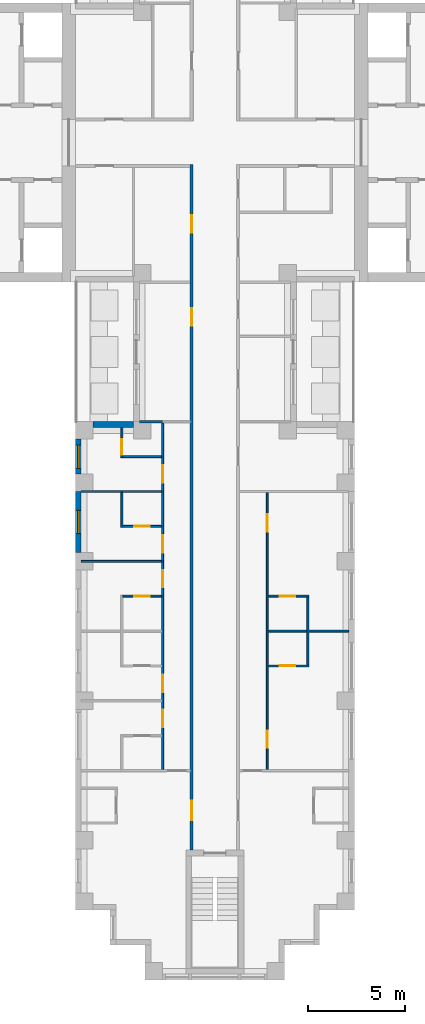
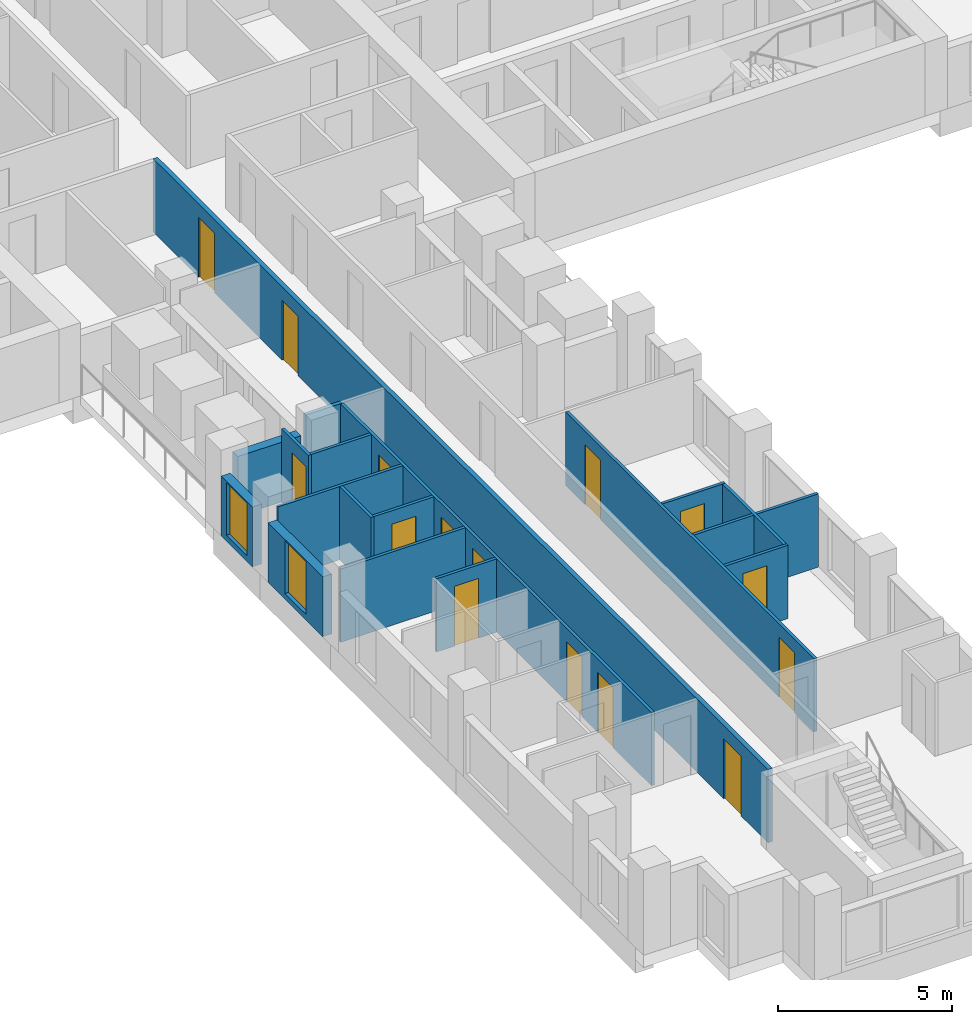
# One storey, part 4 of 15: 18 walls, 15 doors, 2 windows, 17 openings.
"""IFC4 building model written with IfcOpenShell, lengths in metres."""

from ifc_helpers import new_model, si_unit, direction, frame, frame_2d, origin, place, context, subcontext, project, spatial, rectangle, extrude, material, layer, layer_set, type_object, element, fill, save


model = new_model("IFC4")

# Units and contexts
model_context = context("Model", 3, precision=1e-05, world=origin(), true_north=direction((0.0, 1.0)))
body_context = subcontext(model_context, "Body", "Model", "MODEL_VIEW")
ifc_project = project(units=[si_unit("LENGTHUNIT", "METRE"), si_unit("AREAUNIT", "SQUARE_METRE"), si_unit("VOLUMEUNIT", "CUBIC_METRE"), si_unit("PLANEANGLEUNIT", "RADIAN"), si_unit("MASSUNIT", "GRAM", prefix="KILO")], contexts=[model_context])

# Site, building, storey
site_placement = place(None, origin())
site = spatial("IfcSite", under=ifc_project, at=site_placement, CompositionType="ELEMENT")
building_placement = place(site_placement, origin())
building = spatial("IfcBuilding", under=site, at=building_placement, Name="Fustian Cross Tower", CompositionType="ELEMENT")
storey_placement = place(building_placement, frame((0.0, 0.0, 14.699951171875)))
storey = spatial("IfcBuildingStorey", under=building, at=storey_placement, Name="L03", CompositionType="ELEMENT", Elevation=14.699951171875)

# Wall, openings, doors
ifc_material_1 = material(Name="Plasterboard on steel stud", Category="steel")
ifc_layer_1 = layer(ifc_material_1, 0.14990234375)
ifc_layer_set_1 = layer_set([ifc_layer_1], Name="Plasterboard on steel stud")
wall_type_1 = type_object("IfcWallType", Name="COMPARTMENT WALL 150 EI 60", PredefinedType="PARTITIONING", material=ifc_layer_set_1)
wall_1_placement = place(storey_placement, frame((-1.199951171875, -36.5, 0.0), z_axis=(0.0, 0.0, 1.0), x_axis=(0.0, 1.0, 0.0)))
wall_1 = element("IfcWall", 1, at=wall_1_placement, inside=storey, type_object=wall_type_1, Name="Partition 54", PredefinedType="PARTITIONING", context=body_context, shape_type="SweptSolid", body=[
    extrude(rectangle(XDim=35.375, YDim=0.14990234375, at=frame_2d((17.6875, 0.0))), origin(), (0.0, 0.0, 1.0), 2.574951171875),
])
opening_1_placement = place(wall_1_placement, frame((31.85009765625, 0.0, 0.0)))
opening_1 = element("IfcOpeningElement", 2, at=opening_1_placement, cuts=wall_1, Name="Opening D04008", PredefinedType="OPENING", context=body_context, shape_type="SweptSolid", body=[
    extrude(rectangle(XDim=0.89990234375, YDim=2.10009765625, at=frame_2d((0.449951171875, 1.050048828125))), frame((0.0, 0.0849609375, 0.0), z_axis=(0.0, -1.0, 0.0), x_axis=(1.0, 0.0, 0.0)), (0.0, 0.0, 1.0), 0.169921875),
])
opening_2_placement = place(wall_1_placement, frame((27.050048828125, 0.0, 0.0)))
opening_2 = element("IfcOpeningElement", 3, at=opening_2_placement, cuts=wall_1, Name="Opening D04065", PredefinedType="OPENING", context=body_context, shape_type="SweptSolid", body=[
    extrude(rectangle(XDim=0.89990234375, YDim=2.10009765625, at=frame_2d((0.449951171875, 1.050048828125))), frame((0.0, 0.0849609375, 0.0), z_axis=(0.0, -1.0, 0.0), x_axis=(1.0, 0.0, 0.0)), (0.0, 0.0, 1.0), 0.169921875),
])
opening_3_placement = place(wall_1_placement, frame((1.550048828125, 0.0, 0.0)))
opening_3 = element("IfcOpeningElement", 4, at=opening_3_placement, cuts=wall_1, Name="Opening D04067", PredefinedType="OPENING", context=body_context, shape_type="SweptSolid", body=[
    extrude(rectangle(XDim=1.0, YDim=2.10009765625, at=frame_2d((0.5, 1.050048828125))), frame((0.0, 0.0849609375, 0.0), z_axis=(0.0, -1.0, 0.0), x_axis=(1.0, 0.0, 0.0)), (0.0, 0.0, 1.0), 0.169921875),
])
ifc_material_2 = material(Name="Timber fire door set", Category="wood")
door_type_1 = type_object("IfcDoorType", Name="FIRE SWING DOOR 1000 FD30S", OperationType="SINGLE_SWING_LEFT", PredefinedType="DOOR", material=ifc_material_2)
door_1_placement = place(opening_3_placement, origin())
door_1 = element("IfcDoor", 5, at=door_1_placement, inside=storey, type_object=door_type_1, Name="Door D04067", OperationType="SINGLE_SWING_RIGHT", OverallHeight=2.10009765625, OverallWidth=1.0, PredefinedType="DOOR", context=body_context, shape_type="SweptSolid", body=[
    extrude(rectangle(XDim=1.0, YDim=2.10009765625, at=frame_2d((0.5, 1.050048828125))), frame((0.0, 0.02490234375, 0.0), z_axis=(0.0, -1.0, 0.0), x_axis=(1.0, 0.0, 0.0)), (0.0, 0.0, 1.0), 0.050048828125),
])
fill(opening_3, door_1)
ifc_material_3 = material(Name="Timber fire door set", Category="wood")
door_type_2 = type_object("IfcDoorType", Name="FIRE SWING DOOR 900 FD30S", OperationType="SINGLE_SWING_LEFT", PredefinedType="DOOR", material=ifc_material_3)
door_2_placement = place(opening_1_placement, origin())
door_2 = element("IfcDoor", 6, at=door_2_placement, inside=storey, type_object=door_type_2, Name="Door D04008", OperationType="SINGLE_SWING_LEFT", OverallHeight=2.10009765625, OverallWidth=0.89990234375, PredefinedType="DOOR", context=body_context, shape_type="SweptSolid", body=[
    extrude(rectangle(XDim=0.89990234375, YDim=2.10009765625, at=frame_2d((0.449951171875, 1.050048828125))), frame((0.0, 0.02490234375, 0.0), z_axis=(0.0, -1.0, 0.0), x_axis=(1.0, 0.0, 0.0)), (0.0, 0.0, 1.0), 0.050048828125),
])
fill(opening_1, door_2)
door_3_placement = place(opening_2_placement, origin())
door_3 = element("IfcDoor", 7, at=door_3_placement, inside=storey, type_object=door_type_2, Name="Door D04065", OperationType="SINGLE_SWING_RIGHT", OverallHeight=2.10009765625, OverallWidth=0.89990234375, PredefinedType="DOOR", context=body_context, shape_type="SweptSolid", body=[
    extrude(rectangle(XDim=0.89990234375, YDim=2.10009765625, at=frame_2d((0.449951171875, 1.050048828125))), frame((0.0, 0.02490234375, 0.0), z_axis=(0.0, -1.0, 0.0), x_axis=(1.0, 0.0, 0.0)), (0.0, 0.0, 1.0), 0.050048828125),
])
fill(opening_2, door_3)

# Walls
ifc_material_4 = material(Name="Plasterboard on steel stud", Category="steel")
ifc_layer_2 = layer(ifc_material_4, 0.10009765625)
ifc_layer_set_2 = layer_set([ifc_layer_2], Name="Plasterboard on steel stud")
wall_type_2 = type_object("IfcWallType", Name="PARTITION 100 STUD", PredefinedType="PARTITIONING", material=ifc_layer_set_2)
for number, where, z_axis, x_axis, name in (
    (8, (-6.89990234375, -21.60009765625, 0.0), (0.0, 0.0, 1.0), (1.0, 0.0, 0.0), "Partition 15"),
    (9, (-6.89990234375, -18.0, 0.0), (0.0, 0.0, 1.0), (1.0, 0.0, 0.0), "Partition 16"),
):
    element("IfcWall", number, at=place(storey_placement, frame(where, z_axis=z_axis, x_axis=x_axis)), inside=storey, type_object=wall_type_2, Name=name, PredefinedType="PARTITIONING", context=body_context, shape_type="SweptSolid", body=[
        extrude(rectangle(XDim=4.14990234375, YDim=0.10009765625, at=frame_2d((2.074951171875, 0.0))), origin(), (0.0, 0.0, 1.0), 2.574951171875),
    ])

# Wall, opening, door
wall_2_placement = place(storey_placement, frame((-4.75, -23.39990234375, 0.0), z_axis=(0.0, 0.0, 1.0), x_axis=(1.0, 0.0, 0.0)))
wall_2 = element("IfcWall", 10, at=wall_2_placement, inside=storey, type_object=wall_type_2, Name="Partition 30", PredefinedType="PARTITIONING", context=body_context, shape_type="SweptSolid", body=[
    extrude(rectangle(XDim=2.0, YDim=0.10009765625, at=frame_2d((1.0, 0.0))), origin(), (0.0, 0.0, 1.0), 2.574951171875),
])
opening_4_placement = place(wall_2_placement, frame((0.60009765625, 0.0, 0.0)))
opening_4 = element("IfcOpeningElement", 11, at=opening_4_placement, cuts=wall_2, Name="Opening D04076", PredefinedType="OPENING", context=body_context, shape_type="SweptSolid", body=[
    extrude(rectangle(XDim=0.800048828125, YDim=2.10009765625, at=frame_2d((0.39990234375, 1.050048828125))), frame((0.0, 0.06005859375, 0.0), z_axis=(0.0, -1.0, 0.0), x_axis=(1.0, 0.0, 0.0)), (0.0, 0.0, 1.0), 0.1201171875),
])
ifc_material_5 = material(Name="Painted timber", Category="wood")
door_type_3 = type_object("IfcDoorType", Name="SWING DOOR 800", OperationType="SINGLE_SWING_LEFT", PredefinedType="DOOR", material=ifc_material_5)
door_4_placement = place(opening_4_placement, frame((0.800048828125, 0.0, 0.0), z_axis=(0.0, 0.0, 1.0), x_axis=(-1.0, 0.0, 0.0)))
door_4 = element("IfcDoor", 12, at=door_4_placement, inside=storey, type_object=door_type_3, Name="Door D04076", OperationType="SINGLE_SWING_RIGHT", OverallHeight=2.10009765625, OverallWidth=0.800048828125, PredefinedType="DOOR", context=body_context, shape_type="SweptSolid", body=[
    extrude(rectangle(XDim=0.800048828125, YDim=2.10009765625, at=frame_2d((0.39990234375, 1.050048828125))), frame((0.0, 0.02490234375, 0.0), z_axis=(0.0, -1.0, 0.0), x_axis=(1.0, 0.0, 0.0)), (0.0, 0.0, 1.0), 0.050048828125),
])
fill(opening_4, door_4)

# Wall
wall_3_placement = place(storey_placement, frame((-4.800048828125, -19.85009765625, 0.0), z_axis=(0.0, 0.0, 1.0), x_axis=(0.0, 1.0, 0.0)))
element("IfcWall", 13, at=wall_3_placement, inside=storey, type_object=wall_type_2, Name="Partition 31", PredefinedType="PARTITIONING", context=body_context, shape_type="SweptSolid", body=[
    extrude(rectangle(XDim=1.800048828125, YDim=0.10009765625, at=frame_2d((0.89990234375, 0.0))), origin(), (0.0, 0.0, 1.0), 2.574951171875),
])

# Wall, opening, door
wall_4_placement = place(storey_placement, frame((-4.75, -19.800048828125, 0.0), z_axis=(0.0, 0.0, 1.0), x_axis=(1.0, 0.0, 0.0)))
wall_4 = element("IfcWall", 14, at=wall_4_placement, inside=storey, type_object=wall_type_2, Name="Partition 32", PredefinedType="PARTITIONING", context=body_context, shape_type="SweptSolid", body=[
    extrude(rectangle(XDim=2.0, YDim=0.10009765625, at=frame_2d((1.0, 0.0))), origin(), (0.0, 0.0, 1.0), 2.574951171875),
])
opening_5_placement = place(wall_4_placement, frame((0.60009765625, 0.0, 0.0)))
opening_5 = element("IfcOpeningElement", 15, at=opening_5_placement, cuts=wall_4, Name="Opening D04075", PredefinedType="OPENING", context=body_context, shape_type="SweptSolid", body=[
    extrude(rectangle(XDim=0.800048828125, YDim=2.10009765625, at=frame_2d((0.39990234375, 1.050048828125))), frame((0.0, 0.06005859375, 0.0), z_axis=(0.0, -1.0, 0.0), x_axis=(1.0, 0.0, 0.0)), (0.0, 0.0, 1.0), 0.1201171875),
])
door_5_placement = place(opening_5_placement, origin())
door_5 = element("IfcDoor", 16, at=door_5_placement, inside=storey, type_object=door_type_3, Name="Door D04075", OperationType="SINGLE_SWING_LEFT", OverallHeight=2.10009765625, OverallWidth=0.800048828125, PredefinedType="DOOR", context=body_context, shape_type="SweptSolid", body=[
    extrude(rectangle(XDim=0.800048828125, YDim=2.10009765625, at=frame_2d((0.39990234375, 1.050048828125))), frame((0.0, 0.02490234375, 0.0), z_axis=(0.0, -1.0, 0.0), x_axis=(1.0, 0.0, 0.0)), (0.0, 0.0, 1.0), 0.050048828125),
])
fill(opening_5, door_5)

wall_5_placement = place(storey_placement, frame((-4.800048828125, -16.25, 0.0), z_axis=(0.0, 0.0, 1.0), x_axis=(0.0, 1.0, 0.0)))
wall_5 = element("IfcWall", 17, at=wall_5_placement, inside=storey, type_object=wall_type_2, Name="Partition 33", PredefinedType="PARTITIONING", context=body_context, shape_type="SweptSolid", body=[
    extrude(rectangle(XDim=1.550048828125, YDim=0.10009765625, at=frame_2d((0.77490234375, 0.0))), origin(), (0.0, 0.0, 1.0), 2.574951171875),
])
opening_6_placement = place(wall_5_placement, frame((0.14990234375, 0.0, 0.0)))
opening_6 = element("IfcOpeningElement", 18, at=opening_6_placement, cuts=wall_5, Name="Opening D04074", PredefinedType="OPENING", context=body_context, shape_type="SweptSolid", body=[
    extrude(rectangle(XDim=0.800048828125, YDim=2.10009765625, at=frame_2d((0.39990234375, 1.050048828125))), frame((0.0, 0.06005859375, 0.0), z_axis=(0.0, -1.0, 0.0), x_axis=(1.0, 0.0, 0.0)), (0.0, 0.0, 1.0), 0.1201171875),
])
door_6_placement = place(opening_6_placement, frame((0.800048828125, 0.0, 0.0), z_axis=(0.0, 0.0, 1.0), x_axis=(-1.0, 0.0, 0.0)))
door_6 = element("IfcDoor", 19, at=door_6_placement, inside=storey, type_object=door_type_3, Name="Door D04074", OperationType="SINGLE_SWING_RIGHT", OverallHeight=2.10009765625, OverallWidth=0.800048828125, PredefinedType="DOOR", context=body_context, shape_type="SweptSolid", body=[
    extrude(rectangle(XDim=0.800048828125, YDim=2.10009765625, at=frame_2d((0.39990234375, 1.050048828125))), frame((0.0, 0.02490234375, 0.0), z_axis=(0.0, -1.0, 0.0), x_axis=(1.0, 0.0, 0.0)), (0.0, 0.0, 1.0), 0.050048828125),
])
fill(opening_6, door_6)

# Wall
wall_6_placement = place(storey_placement, frame((-4.75, -16.199951171875, 0.0), z_axis=(0.0, 0.0, 1.0), x_axis=(1.0, 0.0, 0.0)))
element("IfcWall", 20, at=wall_6_placement, inside=storey, type_object=wall_type_2, Name="Partition 34", PredefinedType="PARTITIONING", context=body_context, shape_type="SweptSolid", body=[
    extrude(rectangle(XDim=2.0, YDim=0.10009765625, at=frame_2d((1.0, 0.0))), origin(), (0.0, 0.0, 1.0), 2.574951171875),
])

# Wall, openings, doors
wall_7_placement = place(storey_placement, frame((-2.699951171875, -32.35009765625, 0.0), z_axis=(0.0, 0.0, 1.0), x_axis=(0.0, 1.0, 0.0)))
wall_7 = element("IfcWall", 21, at=wall_7_placement, inside=storey, type_object=wall_type_2, Name="Partition 50", PredefinedType="PARTITIONING", context=body_context, shape_type="SweptSolid", body=[
    extrude(rectangle(XDim=17.8876953125, YDim=0.10009765625, at=frame_2d((8.94384765625, 0.0))), origin(), (0.0, 0.0, 1.0), 2.574951171875),
])
opening_7_placement = place(wall_7_placement, frame((2.199951171875, 0.0, 0.0)))
opening_7 = element("IfcOpeningElement", 22, at=opening_7_placement, cuts=wall_7, Name="Opening D04068", PredefinedType="OPENING", context=body_context, shape_type="SweptSolid", body=[
    extrude(rectangle(XDim=0.89990234375, YDim=2.10009765625, at=frame_2d((0.449951171875, 1.050048828125))), frame((0.0, 0.06005859375, 0.0), z_axis=(0.0, -1.0, 0.0), x_axis=(1.0, 0.0, 0.0)), (0.0, 0.0, 1.0), 0.1201171875),
])
opening_8_placement = place(wall_7_placement, frame((4.0, 0.0, 0.0)))
opening_8 = element("IfcOpeningElement", 23, at=opening_8_placement, cuts=wall_7, Name="Opening D04069", PredefinedType="OPENING", context=body_context, shape_type="SweptSolid", body=[
    extrude(rectangle(XDim=0.89990234375, YDim=2.10009765625, at=frame_2d((0.449951171875, 1.050048828125))), frame((0.0, 0.06005859375, 0.0), z_axis=(0.0, -1.0, 0.0), x_axis=(1.0, 0.0, 0.0)), (0.0, 0.0, 1.0), 0.1201171875),
])
opening_9_placement = place(wall_7_placement, frame((9.39990234375, 0.0, 0.0)))
opening_9 = element("IfcOpeningElement", 24, at=opening_9_placement, cuts=wall_7, Name="Opening D04070", PredefinedType="OPENING", context=body_context, shape_type="SweptSolid", body=[
    extrude(rectangle(XDim=0.89990234375, YDim=2.10009765625, at=frame_2d((0.449951171875, 1.050048828125))), frame((0.0, 0.06005859375, 0.0), z_axis=(0.0, -1.0, 0.0), x_axis=(1.0, 0.0, 0.0)), (0.0, 0.0, 1.0), 0.1201171875),
])
opening_10_placement = place(wall_7_placement, frame((11.199951171875, 0.0, 0.0)))
opening_10 = element("IfcOpeningElement", 25, at=opening_10_placement, cuts=wall_7, Name="Opening D04071", PredefinedType="OPENING", context=body_context, shape_type="SweptSolid", body=[
    extrude(rectangle(XDim=0.89990234375, YDim=2.10009765625, at=frame_2d((0.449951171875, 1.050048828125))), frame((0.0, 0.06005859375, 0.0), z_axis=(0.0, -1.0, 0.0), x_axis=(1.0, 0.0, 0.0)), (0.0, 0.0, 1.0), 0.1201171875),
])
opening_11_placement = place(wall_7_placement, frame((14.800048828125, 0.0, 0.0)))
opening_11 = element("IfcOpeningElement", 26, at=opening_11_placement, cuts=wall_7, Name="Opening D04072", PredefinedType="OPENING", context=body_context, shape_type="SweptSolid", body=[
    extrude(rectangle(XDim=0.89990234375, YDim=2.10009765625, at=frame_2d((0.449951171875, 1.050048828125))), frame((0.0, 0.06005859375, 0.0), z_axis=(0.0, -1.0, 0.0), x_axis=(1.0, 0.0, 0.0)), (0.0, 0.0, 1.0), 0.1201171875),
])
ifc_material_6 = material(Name="Painted timber", Category="wood")
door_type_4 = type_object("IfcDoorType", Name="SWING DOOR 900", OperationType="SINGLE_SWING_LEFT", PredefinedType="DOOR", material=ifc_material_6)
door_7_placement = place(opening_7_placement, origin())
door_7 = element("IfcDoor", 27, at=door_7_placement, inside=storey, type_object=door_type_4, Name="Door D04068", OperationType="SINGLE_SWING_LEFT", OverallHeight=2.10009765625, OverallWidth=0.89990234375, PredefinedType="DOOR", context=body_context, shape_type="SweptSolid", body=[
    extrude(rectangle(XDim=0.89990234375, YDim=2.10009765625, at=frame_2d((0.449951171875, 1.050048828125))), frame((0.0, 0.02490234375, 0.0), z_axis=(0.0, -1.0, 0.0), x_axis=(1.0, 0.0, 0.0)), (0.0, 0.0, 1.0), 0.050048828125),
])
fill(opening_7, door_7)
door_8_placement = place(opening_8_placement, origin())
door_8 = element("IfcDoor", 28, at=door_8_placement, inside=storey, type_object=door_type_4, Name="Door D04069", OperationType="SINGLE_SWING_LEFT", OverallHeight=2.10009765625, OverallWidth=0.89990234375, PredefinedType="DOOR", context=body_context, shape_type="SweptSolid", body=[
    extrude(rectangle(XDim=0.89990234375, YDim=2.10009765625, at=frame_2d((0.449951171875, 1.050048828125))), frame((0.0, 0.02490234375, 0.0), z_axis=(0.0, -1.0, 0.0), x_axis=(1.0, 0.0, 0.0)), (0.0, 0.0, 1.0), 0.050048828125),
])
fill(opening_8, door_8)
door_9_placement = place(opening_9_placement, origin())
door_9 = element("IfcDoor", 29, at=door_9_placement, inside=storey, type_object=door_type_4, Name="Door D04070", OperationType="SINGLE_SWING_LEFT", OverallHeight=2.10009765625, OverallWidth=0.89990234375, PredefinedType="DOOR", context=body_context, shape_type="SweptSolid", body=[
    extrude(rectangle(XDim=0.89990234375, YDim=2.10009765625, at=frame_2d((0.449951171875, 1.050048828125))), frame((0.0, 0.02490234375, 0.0), z_axis=(0.0, -1.0, 0.0), x_axis=(1.0, 0.0, 0.0)), (0.0, 0.0, 1.0), 0.050048828125),
])
fill(opening_9, door_9)
door_10_placement = place(opening_10_placement, origin())
door_10 = element("IfcDoor", 30, at=door_10_placement, inside=storey, type_object=door_type_4, Name="Door D04071", OperationType="SINGLE_SWING_LEFT", OverallHeight=2.10009765625, OverallWidth=0.89990234375, PredefinedType="DOOR", context=body_context, shape_type="SweptSolid", body=[
    extrude(rectangle(XDim=0.89990234375, YDim=2.10009765625, at=frame_2d((0.449951171875, 1.050048828125))), frame((0.0, 0.02490234375, 0.0), z_axis=(0.0, -1.0, 0.0), x_axis=(1.0, 0.0, 0.0)), (0.0, 0.0, 1.0), 0.050048828125),
])
fill(opening_10, door_10)
door_11_placement = place(opening_11_placement, origin())
door_11 = element("IfcDoor", 31, at=door_11_placement, inside=storey, type_object=door_type_4, Name="Door D04072", OperationType="SINGLE_SWING_LEFT", OverallHeight=2.10009765625, OverallWidth=0.89990234375, PredefinedType="DOOR", context=body_context, shape_type="SweptSolid", body=[
    extrude(rectangle(XDim=0.89990234375, YDim=2.10009765625, at=frame_2d((0.449951171875, 1.050048828125))), frame((0.0, 0.02490234375, 0.0), z_axis=(0.0, -1.0, 0.0), x_axis=(1.0, 0.0, 0.0)), (0.0, 0.0, 1.0), 0.050048828125),
])
fill(opening_11, door_11)

wall_8_placement = place(storey_placement, frame((2.699951171875, -32.35009765625, 0.0), z_axis=(0.0, 0.0, 1.0), x_axis=(0.0, 1.0, 0.0)))
wall_8 = element("IfcWall", 32, at=wall_8_placement, inside=storey, type_object=wall_type_2, Name="Partition 70", PredefinedType="PARTITIONING", context=body_context, shape_type="SweptSolid", body=[
    extrude(rectangle(XDim=14.300048828125, YDim=0.10009765625, at=frame_2d((7.14990234375, 0.0))), origin(), (0.0, 0.0, 1.0), 2.574951171875),
])
opening_12_placement = place(wall_8_placement, frame((1.1201171875, 0.0, 0.0)))
opening_12 = element("IfcOpeningElement", 33, at=opening_12_placement, cuts=wall_8, Name="Opening D04061", PredefinedType="OPENING", context=body_context, shape_type="SweptSolid", body=[
    extrude(rectangle(XDim=0.89990234375, YDim=2.10009765625, at=frame_2d((0.449951171875, 1.050048828125))), frame((0.0, 0.06005859375, 0.0), z_axis=(0.0, -1.0, 0.0), x_axis=(1.0, 0.0, 0.0)), (0.0, 0.0, 1.0), 0.1201171875),
])
opening_13_placement = place(wall_8_placement, frame((12.280029296875, 0.0, 0.0)))
opening_13 = element("IfcOpeningElement", 34, at=opening_13_placement, cuts=wall_8, Name="Opening D04062", PredefinedType="OPENING", context=body_context, shape_type="SweptSolid", body=[
    extrude(rectangle(XDim=0.89990234375, YDim=2.10009765625, at=frame_2d((0.449951171875, 1.050048828125))), frame((0.0, 0.06005859375, 0.0), z_axis=(0.0, -1.0, 0.0), x_axis=(1.0, 0.0, 0.0)), (0.0, 0.0, 1.0), 0.1201171875),
])
door_12_placement = place(opening_12_placement, origin())
door_12 = element("IfcDoor", 35, at=door_12_placement, inside=storey, type_object=door_type_4, Name="Door D04061", OperationType="SINGLE_SWING_LEFT", OverallHeight=2.10009765625, OverallWidth=0.89990234375, PredefinedType="DOOR", context=body_context, shape_type="SweptSolid", body=[
    extrude(rectangle(XDim=0.89990234375, YDim=2.10009765625, at=frame_2d((0.449951171875, 1.050048828125))), frame((0.0, 0.02490234375, 0.0), z_axis=(0.0, -1.0, 0.0), x_axis=(1.0, 0.0, 0.0)), (0.0, 0.0, 1.0), 0.050048828125),
])
fill(opening_12, door_12)
door_13_placement = place(opening_13_placement, origin())
door_13 = element("IfcDoor", 36, at=door_13_placement, inside=storey, type_object=door_type_4, Name="Door D04062", OperationType="SINGLE_SWING_RIGHT", OverallHeight=2.10009765625, OverallWidth=0.89990234375, PredefinedType="DOOR", context=body_context, shape_type="SweptSolid", body=[
    extrude(rectangle(XDim=0.89990234375, YDim=2.10009765625, at=frame_2d((0.449951171875, 1.050048828125))), frame((0.0, 0.02490234375, 0.0), z_axis=(0.0, -1.0, 0.0), x_axis=(1.0, 0.0, 0.0)), (0.0, 0.0, 1.0), 0.050048828125),
])
fill(opening_13, door_13)

# Wall, opening, door
wall_9_placement = place(storey_placement, frame((2.75, -27.0, 0.0), z_axis=(0.0, 0.0, 1.0), x_axis=(1.0, 0.0, 0.0)))
wall_9 = element("IfcWall", 37, at=wall_9_placement, inside=storey, type_object=wall_type_2, Name="Partition 71", PredefinedType="PARTITIONING", context=body_context, shape_type="SweptSolid", body=[
    extrude(rectangle(XDim=2.10009765625, YDim=0.10009765625, at=frame_2d((1.050048828125, 0.0))), origin(), (0.0, 0.0, 1.0), 2.574951171875),
])
opening_14_placement = place(wall_9_placement, frame((0.60009765625, 0.0, 0.0)))
opening_14 = element("IfcOpeningElement", 38, at=opening_14_placement, cuts=wall_9, Name="Opening D04064", PredefinedType="OPENING", context=body_context, shape_type="SweptSolid", body=[
    extrude(rectangle(XDim=0.800048828125, YDim=2.10009765625, at=frame_2d((0.39990234375, 1.050048828125))), frame((0.0, 0.06005859375, 0.0), z_axis=(0.0, -1.0, 0.0), x_axis=(1.0, 0.0, 0.0)), (0.0, 0.0, 1.0), 0.1201171875),
])
door_14_placement = place(opening_14_placement, origin())
door_14 = element("IfcDoor", 39, at=door_14_placement, inside=storey, type_object=door_type_3, Name="Door D04064", OperationType="SINGLE_SWING_LEFT", OverallHeight=2.10009765625, OverallWidth=0.800048828125, PredefinedType="DOOR", context=body_context, shape_type="SweptSolid", body=[
    extrude(rectangle(XDim=0.800048828125, YDim=2.10009765625, at=frame_2d((0.39990234375, 1.050048828125))), frame((0.0, 0.02490234375, 0.0), z_axis=(0.0, -1.0, 0.0), x_axis=(1.0, 0.0, 0.0)), (0.0, 0.0, 1.0), 0.050048828125),
])
fill(opening_14, door_14)

# Wall
wall_10_placement = place(storey_placement, frame((2.75, -25.199951171875, 0.0), z_axis=(0.0, 0.0, 1.0), x_axis=(1.0, 0.0, 0.0)))
element("IfcWall", 40, at=wall_10_placement, inside=storey, type_object=wall_type_2, Name="Partition 72", PredefinedType="PARTITIONING", context=body_context, shape_type="SweptSolid", body=[
    extrude(rectangle(XDim=4.14990234375, YDim=0.10009765625, at=frame_2d((2.074951171875, 0.0))), origin(), (0.0, 0.0, 1.0), 2.574951171875),
])

# Wall, opening, door
wall_11_placement = place(storey_placement, frame((2.75, -23.39990234375, 0.0), z_axis=(0.0, 0.0, 1.0), x_axis=(1.0, 0.0, 0.0)))
wall_11 = element("IfcWall", 41, at=wall_11_placement, inside=storey, type_object=wall_type_2, Name="Partition 73", PredefinedType="PARTITIONING", context=body_context, shape_type="SweptSolid", body=[
    extrude(rectangle(XDim=2.10009765625, YDim=0.10009765625, at=frame_2d((1.050048828125, 0.0))), origin(), (0.0, 0.0, 1.0), 2.574951171875),
])
opening_15_placement = place(wall_11_placement, frame((0.60009765625, 0.0, 0.0)))
opening_15 = element("IfcOpeningElement", 42, at=opening_15_placement, cuts=wall_11, Name="Opening D04063", PredefinedType="OPENING", context=body_context, shape_type="SweptSolid", body=[
    extrude(rectangle(XDim=0.800048828125, YDim=2.10009765625, at=frame_2d((0.39990234375, 1.050048828125))), frame((0.0, 0.06005859375, 0.0), z_axis=(0.0, -1.0, 0.0), x_axis=(1.0, 0.0, 0.0)), (0.0, 0.0, 1.0), 0.1201171875),
])
door_15_placement = place(opening_15_placement, frame((0.800048828125, 0.0, 0.0), z_axis=(0.0, 0.0, 1.0), x_axis=(-1.0, 0.0, 0.0)))
door_15 = element("IfcDoor", 43, at=door_15_placement, inside=storey, type_object=door_type_3, Name="Door D04063", OperationType="SINGLE_SWING_RIGHT", OverallHeight=2.10009765625, OverallWidth=0.800048828125, PredefinedType="DOOR", context=body_context, shape_type="SweptSolid", body=[
    extrude(rectangle(XDim=0.800048828125, YDim=2.10009765625, at=frame_2d((0.39990234375, 1.050048828125))), frame((0.0, 0.02490234375, 0.0), z_axis=(0.0, -1.0, 0.0), x_axis=(1.0, 0.0, 0.0)), (0.0, 0.0, 1.0), 0.050048828125),
])
fill(opening_15, door_15)

# Walls
wall_12_placement = place(storey_placement, frame((4.800048828125, -26.949951171875, 0.0), z_axis=(0.0, 0.0, 1.0), x_axis=(0.0, 1.0, 0.0)))
element("IfcWall", 44, at=wall_12_placement, inside=storey, type_object=wall_type_2, Name="Partition 87", PredefinedType="PARTITIONING", context=body_context, shape_type="SweptSolid", body=[
    extrude(rectangle(XDim=3.5, YDim=0.10009765625, at=frame_2d((1.75, 0.0))), origin(), (0.0, 0.0, 1.0), 2.574951171875),
])
ifc_material_7 = material(Name="Plasterboard on steel stud", Category="steel")
ifc_layer_3 = layer(ifc_material_7, 0.125)
ifc_layer_set_3 = layer_set([ifc_layer_3], Name="Plasterboard on steel stud")
wall_type_3 = type_object("IfcWallType", Name="WET WALL 125 STUD", PredefinedType="PARTITIONING", material=ifc_layer_set_3)
wall_13_placement = place(storey_placement, frame((-3.89990234375, -14.39990234375, 0.0), z_axis=(0.0, 0.0, 1.0), x_axis=(1.0, 0.0, 0.0)))
element("IfcWall", 45, at=wall_13_placement, inside=storey, type_object=wall_type_3, Name="Partition 45", PredefinedType="PARTITIONING", context=body_context, shape_type="SweptSolid", body=[
    extrude(rectangle(XDim=1.199951171875, YDim=0.125, at=frame_2d((0.60009765625, 0.0))), origin(), (0.0, 0.0, 1.0), 2.574951171875),
])
ifc_material_8 = material(Name="Dark aluminium cladding on insulated backing wall", Category="aluminium")
ifc_layer_4 = layer(ifc_material_8, 0.300048828125)
ifc_layer_set_4 = layer_set([ifc_layer_4], Name="Dark aluminium cladding on insulated backing wall")
wall_type_4 = type_object("IfcWallType", Name="XW1 EXTERNAL WALL 300", PredefinedType="SOLIDWALL", material=ifc_layer_set_4)
wall_14_placement = place(storey_placement, frame((-4.199951171875, -14.550048828125, 0.0), z_axis=(0.0, 0.0, 1.0), x_axis=(-1.0, 0.0, 0.0)))
element("IfcWall", 46, at=wall_14_placement, inside=storey, type_object=wall_type_4, Name="External wall", PredefinedType="SOLIDWALL", context=body_context, shape_type="SweptSolid", body=[
    extrude(rectangle(XDim=2.10009765625, YDim=0.300048828125, at=frame_2d((1.050048828125, 0.0))), origin(), (0.0, 0.0, 1.0), 2.10009765625),
])

# Wall, opening, window
wall_15_placement = place(storey_placement, frame((-7.050048828125, -15.300048828125, 0.0), z_axis=(0.0, 0.0, 1.0), x_axis=(0.0, -1.0, 0.0)))
wall_15 = element("IfcWall", 47, at=wall_15_placement, inside=storey, type_object=wall_type_4, Name="External wall", PredefinedType="SOLIDWALL", context=body_context, shape_type="SweptSolid", body=[
    extrude(rectangle(XDim=1.800048828125, YDim=0.300048828125, at=frame_2d((0.89990234375, 0.0))), origin(), (0.0, 0.0, 1.0), 2.10009765625),
])
opening_16_placement = place(wall_15_placement, frame((0.300048828125, 0.0, 0.199951171875)))
opening_16 = element("IfcOpeningElement", 48, at=opening_16_placement, cuts=wall_15, Name="Opening WN3", PredefinedType="OPENING", context=body_context, shape_type="SweptSolid", body=[
    extrude(rectangle(XDim=1.199951171875, YDim=1.85009765625, at=frame_2d((0.60009765625, 0.925048828125))), frame((0.0, 0.159912109375, 0.0), z_axis=(0.0, -1.0, 0.0), x_axis=(1.0, 0.0, 0.0)), (0.0, 0.0, 1.0), 0.320068359375),
])
ifc_material_9 = material(Name="Dark anodised aluminium and double glazing", Category="aluminium")
window_type = type_object("IfcWindowType", Name="WN3 WINDOW 1200X1850", PartitioningType="SINGLE_PANEL", PredefinedType="WINDOW", material=ifc_material_9)
window_1_placement = place(opening_16_placement, origin())
window_1 = element("IfcWindow", 49, at=window_1_placement, inside=storey, type_object=window_type, Name="Window", OverallHeight=1.85009765625, OverallWidth=1.199951171875, PartitioningType="SINGLE_PANEL", PredefinedType="WINDOW", context=body_context, shape_type="SweptSolid", body=[
    extrude(rectangle(XDim=1.199951171875, YDim=1.85009765625, at=frame_2d((0.60009765625, 0.925048828125))), frame((0.0, 0.030029296875, 0.0), z_axis=(0.0, -1.0, 0.0), x_axis=(1.0, 0.0, 0.0)), (0.0, 0.0, 1.0), 0.06005859375),
])
fill(opening_16, window_1)

wall_16_placement = place(storey_placement, frame((-7.050048828125, -18.0, 0.0), z_axis=(0.0, 0.0, 1.0), x_axis=(0.0, -1.0, 0.0)))
wall_16 = element("IfcWall", 50, at=wall_16_placement, inside=storey, type_object=wall_type_4, Name="External wall", PredefinedType="SOLIDWALL", context=body_context, shape_type="SweptSolid", body=[
    extrude(rectangle(XDim=3.14990234375, YDim=0.300048828125, at=frame_2d((1.574951171875, 0.0))), origin(), (0.0, 0.0, 1.0), 2.10009765625),
])
opening_17_placement = place(wall_16_placement, frame((0.97509765625, 0.0, 0.199951171875)))
opening_17 = element("IfcOpeningElement", 51, at=opening_17_placement, cuts=wall_16, Name="Opening WN3", PredefinedType="OPENING", context=body_context, shape_type="SweptSolid", body=[
    extrude(rectangle(XDim=1.199951171875, YDim=1.85009765625, at=frame_2d((0.60009765625, 0.925048828125))), frame((0.0, 0.159912109375, 0.0), z_axis=(0.0, -1.0, 0.0), x_axis=(1.0, 0.0, 0.0)), (0.0, 0.0, 1.0), 0.320068359375),
])
window_2_placement = place(opening_17_placement, origin())
window_2 = element("IfcWindow", 52, at=window_2_placement, inside=storey, type_object=window_type, Name="Window", OverallHeight=1.85009765625, OverallWidth=1.199951171875, PartitioningType="SINGLE_PANEL", PredefinedType="WINDOW", context=body_context, shape_type="SweptSolid", body=[
    extrude(rectangle(XDim=1.199951171875, YDim=1.85009765625, at=frame_2d((0.60009765625, 0.925048828125))), frame((0.0, 0.030029296875, 0.0), z_axis=(0.0, -1.0, 0.0), x_axis=(1.0, 0.0, 0.0)), (0.0, 0.0, 1.0), 0.06005859375),
])
fill(opening_17, window_2)

save(model, "model.ifc")
